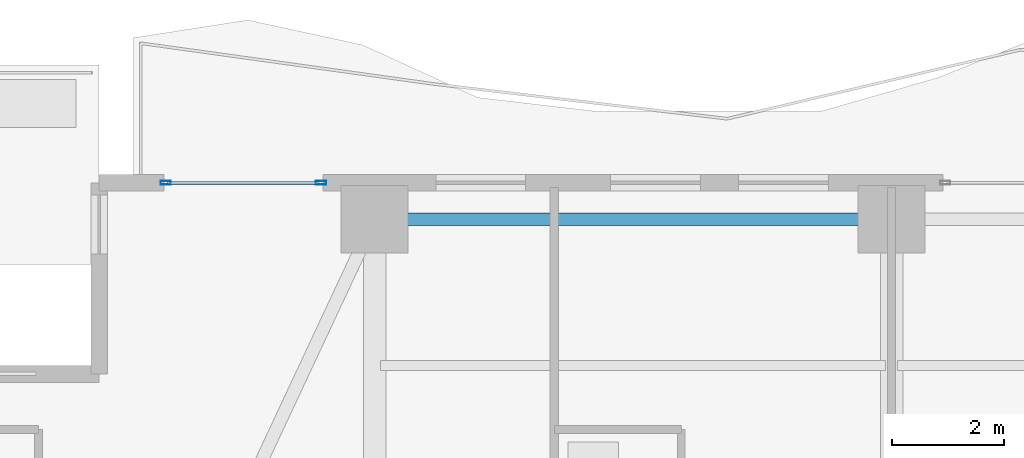
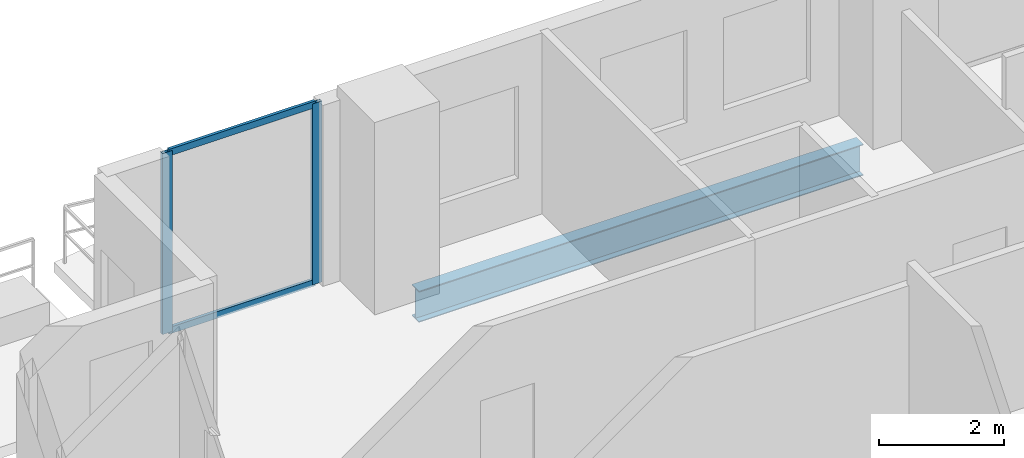
# One storey, part 17 of 32: 4 members, 1 beam, 1 element without a shape of its own.
"""IFC4 building model written with IfcOpenShell, lengths in metres."""

from ifc_helpers import new_model, si_unit, direction, frame, origin, origin_2d, place, context, subcontext, project, spatial, hollow_rectangle, i_section, extrude, material, layer, layer_set, material_profile, profile_set, type_object, element, aggregate, save


model = new_model("IFC4")

# Units and contexts
model_context = context("Model", 3, precision=1e-05, world=origin(), true_north=direction((0.0, 1.0)))
body_context = subcontext(model_context, "Body", "Model", "MODEL_VIEW")
ifc_project = project(units=[si_unit("LENGTHUNIT", "METRE"), si_unit("AREAUNIT", "SQUARE_METRE"), si_unit("VOLUMEUNIT", "CUBIC_METRE"), si_unit("PLANEANGLEUNIT", "RADIAN"), si_unit("MASSUNIT", "GRAM", prefix="KILO")], contexts=[model_context])

# Site, building, storey
site_placement = place(None, origin())
site = spatial("IfcSite", under=ifc_project, at=site_placement, CompositionType="ELEMENT")
building_placement = place(site_placement, origin())
building = spatial("IfcBuilding", under=site, at=building_placement, Name="Zuhayl Quay Hotel", CompositionType="ELEMENT")
storey_placement = place(building_placement, frame((0.0, 0.0, 177.39990234375)))
storey = spatial("IfcBuildingStorey", under=building, at=storey_placement, Name="L44", CompositionType="ELEMENT", Elevation=177.39990234375)

# Beam
ifc_material_1 = material(Name="Steel ASTM A992 Grade 50", Category="steel")
ifc_material_profile_1 = material_profile(ifc_material_1, i_section(OverallWidth=0.22802734375, OverallDepth=0.60693359375, WebThickness=0.01123046875, FlangeThickness=0.017333984375, at=origin_2d()), Name="W24X76")
ifc_profile_set_1 = profile_set([ifc_material_profile_1], Name="Steel ASTM A992 Grade 50")
beam_type = type_object("IfcBeamType", Name="BM_B3_W24X76", PredefinedType="BEAM", material=ifc_profile_set_1)
beam_placement = place(storey_placement, frame((-5.10009765625, 32.949951171875, -0.5234375), z_axis=(-1.0, 0.0, 0.0), x_axis=(0.0, -1.0, 0.0)))
element("IfcBeam", 1, at=beam_placement, inside=storey, type_object=beam_type, Name="L44 Floor Beam RG_L44_09", PredefinedType="BEAM", context=body_context, shape_type="SweptSolid", body=[
    extrude(i_section(OverallWidth=0.22802734375, OverallDepth=0.60693359375, WebThickness=0.01123046875, FlangeThickness=0.017333984375, at=origin_2d()), origin(), (0.0, 0.0, 1.0), 8.199951171875),
])

# Curtain wall, members
ifc_material_2 = material(Name="Anodised Aluminium 6063-T6", Category="aluminium")
ifc_layer = layer(ifc_material_2, 0.175048828125, Name="Anodised Aluminium 6063-T6", Category="aluminium")
ifc_layer_set = layer_set([ifc_layer], Name="Anodised Aluminium 6063-T6")
curtain_wall_type = type_object("IfcCurtainWallType", Name="CW_SYS_Z3", PredefinedType="USERDEFINED", material=ifc_layer_set)
curtain_wall_placement = place(storey_placement, origin())
curtain_wall = element("IfcCurtainWall", 2, at=curtain_wall_placement, inside=storey, type_object=curtain_wall_type, Name="L44 Curtain Wall ENV_L44_N_CW1", ObjectType="UNITISED CURTAIN WALL", PredefinedType="USERDEFINED")
ifc_material_3 = material(Name="Black-anodised aluminium 6063-T6", Category="aluminium")
ifc_material_profile_2 = material_profile(ifc_material_3, hollow_rectangle(XDim=0.06494140625, YDim=0.179931640625, WallThickness=0.00341796875, at=origin_2d()), Name="ALU180X65")
ifc_profile_set_2 = profile_set([ifc_material_profile_2], Name="Black-anodised aluminium 6063-T6")
member_type_1 = type_object("IfcMemberType", Name="MB_CW_MUL_180", PredefinedType="MULLION", material=ifc_profile_set_2)
member_1_placement = place(storey_placement, frame((-17.517578125, 33.60009765625, 0.0), z_axis=(0.0, 0.0, 1.0), x_axis=(0.0, 1.0, 0.0)))
member_1 = element("IfcMember", 3, at=member_1_placement, type_object=member_type_1, Name="CW-Z3 mullion 1", PredefinedType="MULLION", context=body_context, shape_type="SweptSolid", body=[
    extrude(hollow_rectangle(XDim=0.06494140625, YDim=0.179931640625, WallThickness=0.00341796875, at=origin_2d()), origin(), (0.0, 0.0, 1.0), 3.530029296875),
])
member_2_placement = place(storey_placement, frame((-14.75244140625, 33.60009765625, 0.0), z_axis=(0.0, 0.0, 1.0), x_axis=(0.0, 1.0, 0.0)))
member_2 = element("IfcMember", 4, at=member_2_placement, type_object=member_type_1, Name="CW-Z3 mullion 2", PredefinedType="MULLION", context=body_context, shape_type="SweptSolid", body=[
    extrude(hollow_rectangle(XDim=0.06494140625, YDim=0.179931640625, WallThickness=0.00341796875, at=origin_2d()), origin(), (0.0, 0.0, 1.0), 3.530029296875),
])
ifc_material_profile_3 = material_profile(ifc_material_3, hollow_rectangle(XDim=0.054931640625, YDim=0.1298828125, WallThickness=0.0029296875, at=origin_2d()), Name="ALU130X55")
ifc_profile_set_3 = profile_set([ifc_material_profile_3], Name="Black-anodised aluminium 6063-T6")
member_type_2 = type_object("IfcMemberType", Name="MB_CW_TRN_130", PredefinedType="USERDEFINED", material=ifc_profile_set_3)
member_3_placement = place(storey_placement, frame((-17.485107421875, 33.60009765625, 0.027587890625), z_axis=(1.0, 0.0, 0.0), x_axis=(0.0, 1.0, 0.0)))
member_3 = element("IfcMember", 5, at=member_3_placement, type_object=member_type_2, Name="CW-Z3 transom 1.1", ObjectType="TRANSOM", PredefinedType="USERDEFINED", context=body_context, shape_type="SweptSolid", body=[
    extrude(hollow_rectangle(XDim=0.054931640625, YDim=0.1298828125, WallThickness=0.0029296875, at=origin_2d()), origin(), (0.0, 0.0, 1.0), 2.7001953125),
])
member_4_placement = place(storey_placement, frame((-17.485107421875, 33.60009765625, 3.502685546875), z_axis=(1.0, 0.0, 0.0), x_axis=(0.0, 1.0, 0.0)))
member_4 = element("IfcMember", 6, at=member_4_placement, type_object=member_type_2, Name="CW-Z3 transom 1.2", ObjectType="TRANSOM", PredefinedType="USERDEFINED", context=body_context, shape_type="SweptSolid", body=[
    extrude(hollow_rectangle(XDim=0.054931640625, YDim=0.1298828125, WallThickness=0.0029296875, at=origin_2d()), origin(), (0.0, 0.0, 1.0), 2.7001953125),
])
aggregate(curtain_wall, [member_1, member_2, member_3, member_4])

save(model, "model.ifc")
